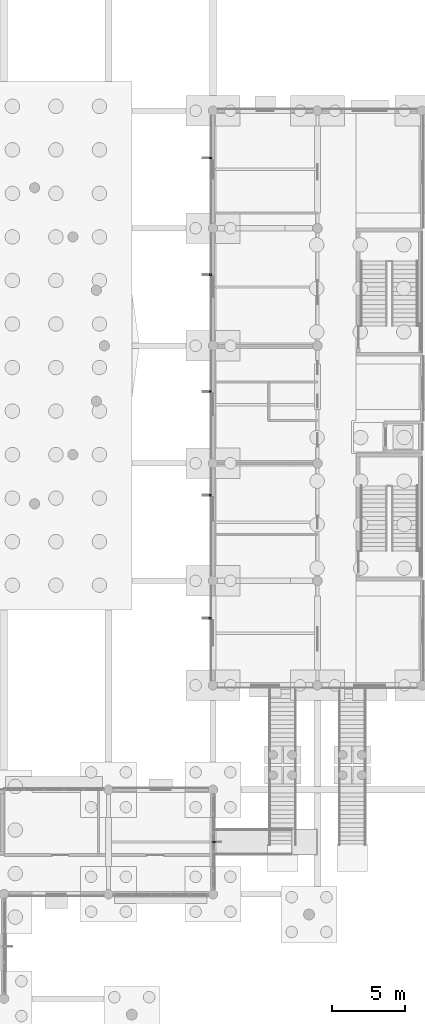
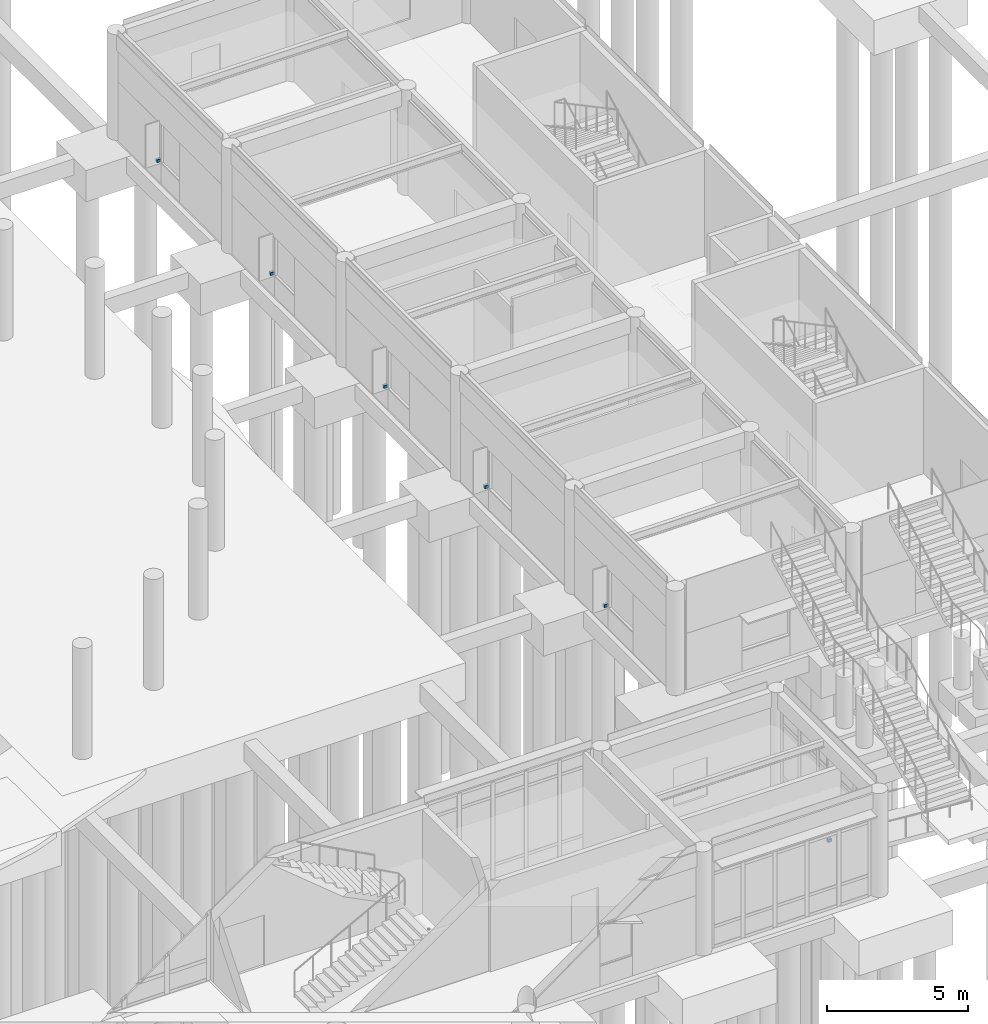
# One storey, part 73 of 103: 6 discrete accessories.
"""IFC4 building model written with IfcOpenShell, lengths in metres."""

from ifc_helpers import new_model, si_unit, direction, frame, origin, origin_2d, place, context, subcontext, project, spatial, rectangle, extrude, material, type_object, element, save


model = new_model("IFC4")

# Units and contexts
model_context = context("Model", 3, precision=1e-05, world=origin(), true_north=direction((0.0, 1.0)))
body_context = subcontext(model_context, "Body", "Model", "MODEL_VIEW")
ifc_project = project(units=[si_unit("LENGTHUNIT", "METRE"), si_unit("AREAUNIT", "SQUARE_METRE"), si_unit("VOLUMEUNIT", "CUBIC_METRE"), si_unit("PLANEANGLEUNIT", "RADIAN"), si_unit("MASSUNIT", "GRAM", prefix="KILO")], contexts=[model_context])

# Site, building, storey
site_placement = place(None, origin())
site = spatial("IfcSite", under=ifc_project, at=site_placement, CompositionType="ELEMENT")
building_placement = place(site_placement, origin())
building = spatial("IfcBuilding", under=site, at=building_placement, Name="Namkhue Oval Health Centre", CompositionType="ELEMENT")
storey_placement = place(building_placement, origin())
storey = spatial("IfcBuildingStorey", under=building, at=storey_placement, Name="L00", CompositionType="ELEMENT", Elevation=0.0)

# Discrete accessories
ifc_material = material(Name="Structural steel S355JR (TCVN CCT38)", Category="steel")
discrete_accessory_type = type_object("IfcDiscreteAccessoryType", Name="FACADE SHADING BRACKET", PredefinedType="BRACKET", material=ifc_material)
for number, where, z_axis, x_axis, name in (
    (1, (136.860107421875, 25.199951171875, 0.0), (0.0, 0.0, 1.0), (1.0, 0.0, 0.0), "Solar Fin Bracket 244"),
    (2, (136.625, 72.340087890625, 0.89990234375), (0.0, 0.0, 1.0), (-1.0, 0.0, 0.0), "Window Fin Bracket 299"),
    (3, (136.6201171875, 64.2900390625, 0.89990234375), (0.0, 0.0, 1.0), (-1.0, 0.0, 0.0), "Window Fin Bracket 300"),
    (4, (136.614990234375, 56.239990234375, 0.89990234375), (0.0, 0.0, 1.0), (-1.0, 0.0, 0.0), "Window Fin Bracket 301"),
    (5, (136.610107421875, 49.090087890625, 0.89990234375), (0.0, 0.0, 1.0), (-1.0, 0.0, 0.0), "Window Fin Bracket 302"),
    (6, (136.60498046875, 40.614990234375, 0.89990234375), (0.0, 0.0, 1.0), (-1.0, 0.0, 0.0), "Window Fin Bracket 303"),
):
    element("IfcDiscreteAccessory", number, at=place(storey_placement, frame(where, z_axis=z_axis, x_axis=x_axis)), inside=storey, type_object=discrete_accessory_type, Name=name, PredefinedType="BRACKET", context=body_context, shape_type="SweptSolid", body=[
        extrude(rectangle(XDim=0.159912109375, YDim=0.1201171875, at=origin_2d()), origin(), (0.0, 0.0, 1.0), 0.1201171875),
    ])

save(model, "model.ifc")
